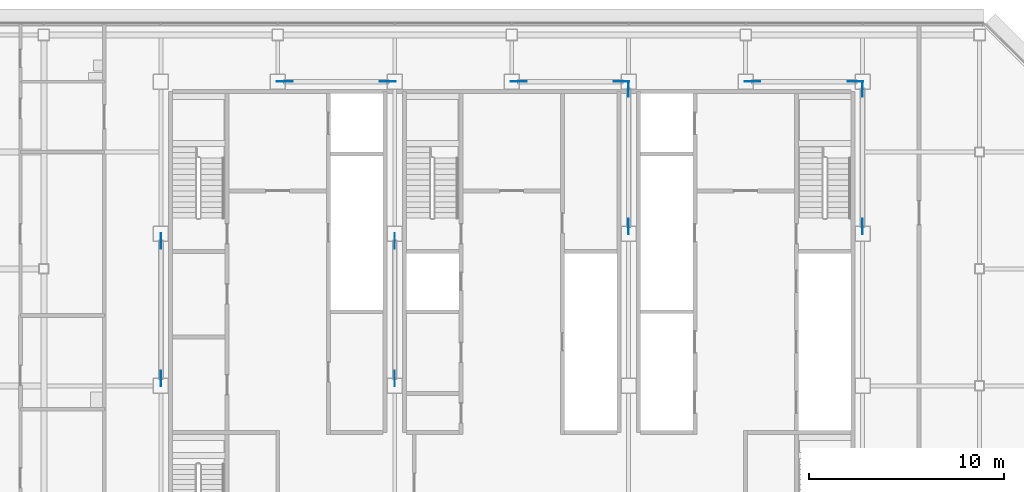
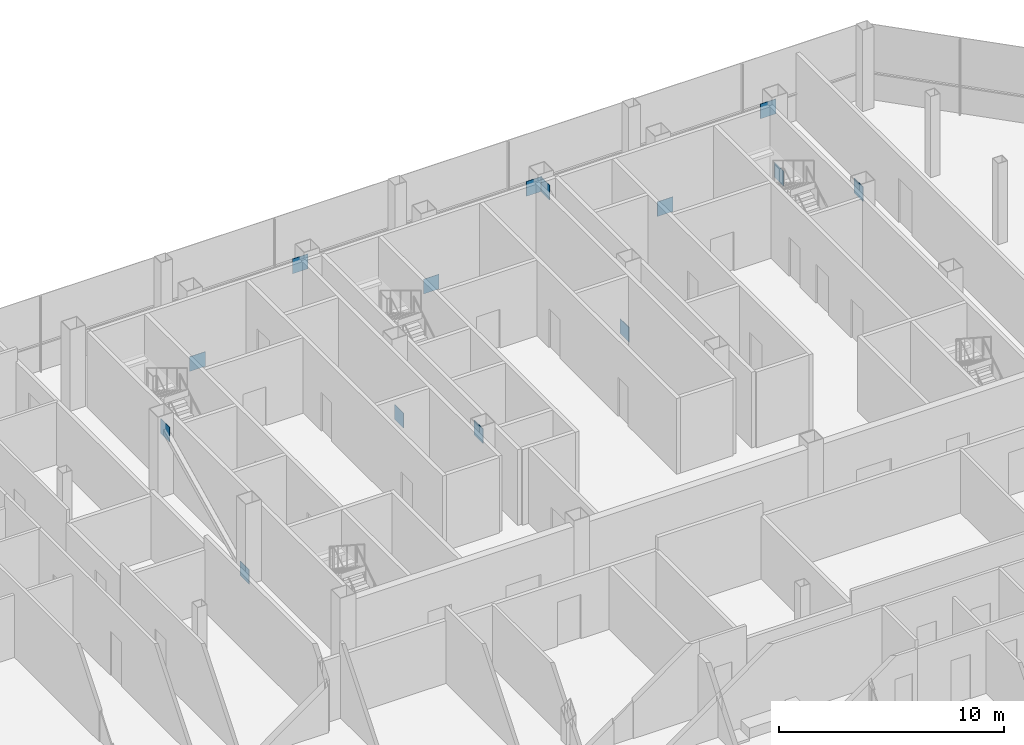
# One storey, part 26 of 29: 14 discrete accessories.
"""IFC4 building model written with IfcOpenShell, lengths in metres."""

from ifc_helpers import new_model, si_unit, direction, frame, origin, origin_2d, place, context, subcontext, project, spatial, rectangle, extrude, material, layer, layer_set, type_object, element, save


model = new_model("IFC4")

# Units and contexts
model_context = context("Model", 3, precision=1e-05, world=origin(), true_north=direction((0.0, 1.0)))
body_context = subcontext(model_context, "Body", "Model", "MODEL_VIEW")
ifc_project = project(units=[si_unit("LENGTHUNIT", "METRE"), si_unit("AREAUNIT", "SQUARE_METRE"), si_unit("VOLUMEUNIT", "CUBIC_METRE"), si_unit("PLANEANGLEUNIT", "RADIAN"), si_unit("MASSUNIT", "GRAM", prefix="KILO")], contexts=[model_context])

# Site, building, storey
site_placement = place(None, origin())
site = spatial("IfcSite", under=ifc_project, at=site_placement, CompositionType="ELEMENT")
building_placement = place(site_placement, origin())
building = spatial("IfcBuilding", under=site, at=building_placement, Name="Sorahane Residences", CompositionType="ELEMENT")
storey_placement = place(building_placement, frame((0.0, 0.0, 277.39990234375)))
storey = spatial("IfcBuildingStorey", under=building, at=storey_placement, Name="L66", CompositionType="ELEMENT", Elevation=277.39990234375)

# Discrete accessories
ifc_material = material(Name="Steel Q355B", Category="steel")
ifc_layer = layer(ifc_material, 0.02490234375)
ifc_layer_set = layer_set([ifc_layer], Name="Node plate Steel Q355B 25")
discrete_accessory_type = type_object("IfcDiscreteAccessoryType", Name="Node plate Steel Q355B 25", PredefinedType="BRACKET", material=ifc_layer_set)
for number, where, z_axis, x_axis, name in (
    (1, (6.0, 30.3671875, -0.291015625), (0.0, 0.0, 1.0), (0.0, 1.0, 0.0), "Node plate L66 br"),
    (2, (6.0, 37.432861328125, 3.14111328125), (0.0, 0.0, 1.0), (0.0, 1.0, 0.0), "Node plate L66 br"),
    (3, (18.0, 37.432861328125, -0.291015625), (0.0, 0.0, 1.0), (0.0, 1.0, 0.0), "Node plate L66 br"),
    (4, (18.0, 30.3671875, 3.14111328125), (0.0, 0.0, 1.0), (0.0, 1.0, 0.0), "Node plate L66 br"),
    (5, (30.0, 38.167236328125, -0.291015625), (0.0, 0.0, 1.0), (0.0, 1.0, 0.0), "Node plate L66 br"),
    (6, (30.0, 45.23291015625, 3.14111328125), (0.0, 0.0, 1.0), (0.0, 1.0, 0.0), "Node plate L66 br"),
    (7, (42.0, 45.23291015625, -0.291015625), (0.0, 0.0, 1.0), (0.0, 1.0, 0.0), "Node plate L66 br"),
    (8, (42.0, 38.167236328125, 3.14111328125), (0.0, 0.0, 1.0), (0.0, 1.0, 0.0), "Node plate L66 br"),
    (9, (12.35888671875, 45.60009765625, -0.3017578125), (0.0, 0.0, 1.0), (1.0, 0.0, 0.0), "Node plate L66 br"),
    (10, (24.35888671875, 45.60009765625, -0.3017578125), (0.0, 0.0, 1.0), (1.0, 0.0, 0.0), "Node plate L66 br"),
    (11, (36.35888671875, 45.60009765625, -0.3017578125), (0.0, 0.0, 1.0), (1.0, 0.0, 0.0), "Node plate L66 br"),
    (12, (17.64111328125, 45.60009765625, 3.15185546875), (0.0, 0.0, 1.0), (1.0, 0.0, 0.0), "Node plate L66 br"),
    (13, (29.64111328125, 45.60009765625, 3.15185546875), (0.0, 0.0, 1.0), (1.0, 0.0, 0.0), "Node plate L66 br"),
    (14, (41.64111328125, 45.60009765625, 3.15185546875), (0.0, 0.0, 1.0), (1.0, 0.0, 0.0), "Node plate L66 br"),
):
    element("IfcDiscreteAccessory", number, at=place(storey_placement, frame(where, z_axis=z_axis, x_axis=x_axis)), inside=storey, type_object=discrete_accessory_type, Name=name, PredefinedType="BRACKET", context=body_context, shape_type="SweptSolid", body=[
        extrude(rectangle(XDim=0.800048828125, YDim=0.02490234375, at=origin_2d()), origin(), (0.0, 0.0, 1.0), 0.800048828125),
    ])

save(model, "model.ifc")
